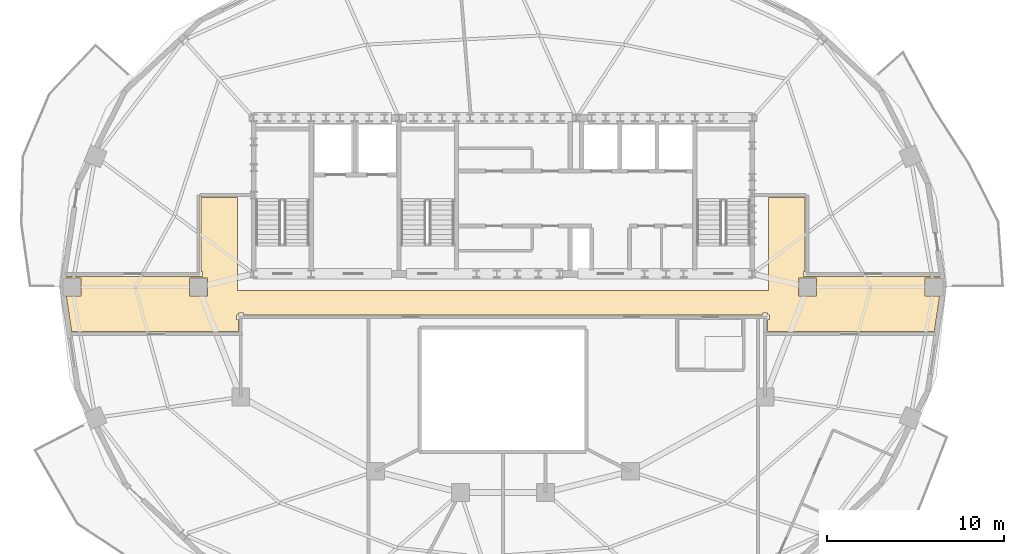
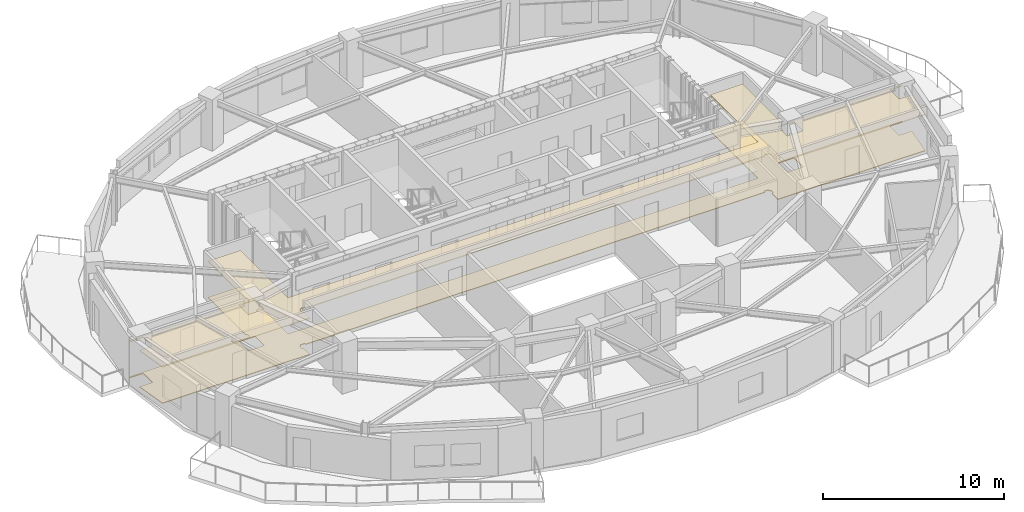
# One storey, part 7 of 9: 2 coverings.
"""IFC4 building model written with IfcOpenShell, lengths in metres."""

from ifc_helpers import new_model, si_unit, direction, frame, origin, place, context, subcontext, project, spatial, polyline, outline, extrude, material, layer, layer_set, type_object, element, save


model = new_model("IFC4")

# Units and contexts
model_context = context("Model", 3, precision=1e-05, world=origin(), true_north=direction((0.0, 1.0)))
body_context = subcontext(model_context, "Body", "Model", "MODEL_VIEW")
ifc_project = project(units=[si_unit("LENGTHUNIT", "METRE"), si_unit("AREAUNIT", "SQUARE_METRE"), si_unit("VOLUMEUNIT", "CUBIC_METRE"), si_unit("PLANEANGLEUNIT", "RADIAN"), si_unit("MASSUNIT", "GRAM", prefix="KILO")], contexts=[model_context])

# Site, building, storey
site_placement = place(None, origin())
site = spatial("IfcSite", under=ifc_project, at=site_placement, CompositionType="ELEMENT")
building_placement = place(site_placement, origin())
building = spatial("IfcBuilding", under=site, at=building_placement, Name="Haldorwick Loom Tower", CompositionType="ELEMENT")
storey_placement = place(building_placement, frame((0.0, 0.0, 244.35009765625)))
storey = spatial("IfcBuildingStorey", under=building, at=storey_placement, Name="L66", CompositionType="ELEMENT", Elevation=244.35009765625)

# Coverings
ifc_material_1 = material(Name="Mineral Fibre Acoustic Ceiling Tile")
ifc_layer_1 = layer(ifc_material_1, 0.054931640625, Name="Mineral Fibre Acoustic Ceiling Tile")
ifc_layer_set_1 = layer_set([ifc_layer_1], Name="Mineral Fibre Acoustic Ceiling Tile")
covering_type_1 = type_object("IfcCoveringType", Name="ARC-COV-CEIL2", PredefinedType="CEILING", material=ifc_layer_set_1)
covering_1_placement = place(storey_placement, frame((0.0, 0.0, 2.43896484375)))
element("IfcCovering", 1, at=covering_1_placement, inside=storey, type_object=covering_type_1, Name="L66 Acoustic Suspended Ceiling 1", PredefinedType="CEILING", context=body_context, shape_type="SweptSolid", body=[
    extrude(outline(polyline([(11.652099609375, 23.489990234375), (21.06005859375, 23.489990234375), (21.06005859375, 24.159912109375), (20.97998046875, 24.159912109375), (20.97802734375, 24.16015625), (20.97607421875, 24.160400390625), (20.97412109375, 24.160888671875), (20.972412109375, 24.16162109375), (20.970703125, 24.162353515625), (20.968994140625, 24.163330078125), (20.96728515625, 24.16455078125), (20.9658203125, 24.166015625), (20.964599609375, 24.167236328125), (20.96337890625, 24.1689453125), (20.96240234375, 24.170654296875), (20.96142578125, 24.17236328125), (20.9609375, 24.17431640625), (20.96044921875, 24.176025390625), (20.960205078125, 24.177978515625), (20.9599609375, 24.179931640625), (20.9599609375, 24.419921875), (20.960205078125, 24.422119140625), (20.96044921875, 24.423828125), (20.9609375, 24.42578125), (20.96142578125, 24.427734375), (20.96240234375, 24.429443359375), (20.96337890625, 24.43115234375), (20.964599609375, 24.4326171875), (20.9658203125, 24.43408203125), (20.96728515625, 24.435546875), (20.968994140625, 24.4365234375), (20.970703125, 24.4375), (20.972412109375, 24.4384765625), (20.97412109375, 24.439208984375), (20.97607421875, 24.439697265625), (20.97802734375, 24.43994140625), (20.97998046875, 24.43994140625), (21.06005859375, 24.43994140625), (21.06005859375, 24.52001953125), (21.06005859375, 24.52197265625), (21.060302734375, 24.52392578125), (21.060791015625, 24.52587890625), (21.0615234375, 24.527587890625), (21.0625, 24.529296875), (21.0634765625, 24.531005859375), (21.064453125, 24.53271484375), (21.06591796875, 24.5341796875), (21.0673828125, 24.535400390625), (21.06884765625, 24.53662109375), (21.070556640625, 24.53759765625), (21.072265625, 24.53857421875), (21.07421875, 24.5390625), (21.076171875, 24.53955078125), (21.077880859375, 24.539794921875), (21.080078125, 24.5400390625), (21.320068359375, 24.5400390625), (21.322021484375, 24.539794921875), (21.323974609375, 24.53955078125), (21.32568359375, 24.5390625), (21.32763671875, 24.53857421875), (21.329345703125, 24.53759765625), (21.3310546875, 24.53662109375), (21.332763671875, 24.535400390625), (21.333984375, 24.5341796875), (21.33544921875, 24.53271484375), (21.336669921875, 24.531005859375), (21.337646484375, 24.529296875), (21.33837890625, 24.527587890625), (21.339111328125, 24.52587890625), (21.339599609375, 24.52392578125), (21.33984375, 24.52197265625), (21.340087890625, 24.52001953125), (21.340087890625, 24.43994140625), (50.659912109375, 24.43994140625), (50.659912109375, 24.52001953125), (50.66015625, 24.52197265625), (50.660400390625, 24.52392578125), (50.660888671875, 24.52587890625), (50.66162109375, 24.527587890625), (50.662353515625, 24.529296875), (50.663330078125, 24.531005859375), (50.66455078125, 24.53271484375), (50.666015625, 24.5341796875), (50.667236328125, 24.535400390625), (50.6689453125, 24.53662109375), (50.670654296875, 24.53759765625), (50.67236328125, 24.53857421875), (50.67431640625, 24.5390625), (50.676025390625, 24.53955078125), (50.677978515625, 24.539794921875), (50.679931640625, 24.5400390625), (50.919921875, 24.5400390625), (50.922119140625, 24.539794921875), (50.923828125, 24.53955078125), (50.92578125, 24.5390625), (50.927734375, 24.53857421875), (50.929443359375, 24.53759765625), (50.93115234375, 24.53662109375), (50.9326171875, 24.535400390625), (50.93408203125, 24.5341796875), (50.935546875, 24.53271484375), (50.9365234375, 24.531005859375), (50.9375, 24.529296875), (50.9384765625, 24.527587890625), (50.939208984375, 24.52587890625), (50.939697265625, 24.52392578125), (50.93994140625, 24.52197265625), (50.93994140625, 24.52001953125), (50.93994140625, 24.43994140625), (51.02001953125, 24.43994140625), (51.02197265625, 24.43994140625), (51.02392578125, 24.439697265625), (51.02587890625, 24.439208984375), (51.027587890625, 24.4384765625), (51.029296875, 24.4375), (51.031005859375, 24.4365234375), (51.03271484375, 24.435546875), (51.0341796875, 24.43408203125), (51.035400390625, 24.4326171875), (51.03662109375, 24.43115234375), (51.03759765625, 24.429443359375), (51.03857421875, 24.427734375), (51.0390625, 24.42578125), (51.03955078125, 24.423828125), (51.039794921875, 24.422119140625), (51.0400390625, 24.419921875), (51.0400390625, 24.179931640625), (51.039794921875, 24.177978515625), (51.03955078125, 24.176025390625), (51.0390625, 24.17431640625), (51.03857421875, 24.17236328125), (51.03759765625, 24.170654296875), (51.03662109375, 24.1689453125), (51.035400390625, 24.167236328125), (51.0341796875, 24.166015625), (51.03271484375, 24.16455078125), (51.031005859375, 24.163330078125), (51.029296875, 24.162353515625), (51.027587890625, 24.16162109375), (51.02587890625, 24.160888671875), (51.02392578125, 24.160400390625), (51.02197265625, 24.16015625), (51.02001953125, 24.159912109375), (50.93994140625, 24.159912109375), (50.93994140625, 23.489990234375), (60.347900390625, 23.489990234375), (60.65283203125, 25.491943359375), (59.828857421875, 25.491943359375), (59.828857421875, 26.508056640625), (60.65283203125, 26.508056640625), (60.63720703125, 26.610107421875), (52.97998046875, 26.610107421875), (52.97802734375, 26.610107421875), (52.97607421875, 26.6103515625), (52.97412109375, 26.61083984375), (52.972412109375, 26.611572265625), (52.970703125, 26.6123046875), (52.968994140625, 26.61328125), (52.96728515625, 26.614501953125), (52.9658203125, 26.615966796875), (52.964599609375, 26.6171875), (52.96337890625, 26.618896484375), (52.96240234375, 26.62060546875), (52.96142578125, 26.622314453125), (52.9609375, 26.624267578125), (52.96044921875, 26.626220703125), (52.960205078125, 26.6279296875), (52.9599609375, 26.6298828125), (52.9599609375, 26.8701171875), (52.960205078125, 26.8720703125), (52.96044921875, 26.873779296875), (52.9609375, 26.875732421875), (52.96142578125, 26.877685546875), (52.96240234375, 26.87939453125), (52.96337890625, 26.881103515625), (52.964599609375, 26.8828125), (52.9658203125, 26.884033203125), (52.96728515625, 26.885498046875), (52.968994140625, 26.88671875), (52.970703125, 26.8876953125), (52.972412109375, 26.888427734375), (52.97412109375, 26.88916015625), (52.97607421875, 26.8896484375), (52.97802734375, 26.889892578125), (52.97998046875, 26.889892578125), (53.06005859375, 26.889892578125), (53.06005859375, 31.06005859375), (51.0, 31.06005859375), (51.0, 25.800048828125), (21.0, 25.800048828125), (21.0, 31.06005859375), (18.93994140625, 31.06005859375), (18.93994140625, 26.889892578125), (19.02001953125, 26.889892578125), (19.02197265625, 26.889892578125), (19.02392578125, 26.8896484375), (19.02587890625, 26.88916015625), (19.027587890625, 26.888427734375), (19.029296875, 26.8876953125), (19.031005859375, 26.88671875), (19.03271484375, 26.885498046875), (19.0341796875, 26.884033203125), (19.035400390625, 26.8828125), (19.03662109375, 26.881103515625), (19.03759765625, 26.87939453125), (19.03857421875, 26.877685546875), (19.0390625, 26.875732421875), (19.03955078125, 26.873779296875), (19.039794921875, 26.8720703125), (19.0400390625, 26.8701171875), (19.0400390625, 26.6298828125), (19.039794921875, 26.6279296875), (19.03955078125, 26.626220703125), (19.0390625, 26.624267578125), (19.03857421875, 26.622314453125), (19.03759765625, 26.62060546875), (19.03662109375, 26.618896484375), (19.035400390625, 26.6171875), (19.0341796875, 26.615966796875), (19.03271484375, 26.614501953125), (19.031005859375, 26.61328125), (19.029296875, 26.6123046875), (19.027587890625, 26.611572265625), (19.02587890625, 26.61083984375), (19.02392578125, 26.6103515625), (19.02197265625, 26.610107421875), (19.02001953125, 26.610107421875), (11.36279296875, 26.610107421875), (11.34716796875, 26.508056640625), (12.171142578125, 26.508056640625), (12.171142578125, 25.491943359375), (11.34716796875, 25.491943359375), (11.652099609375, 23.489990234375)]), holes=[polyline([(19.30810546875, 26.508056640625), (19.30810546875, 25.491943359375), (18.2919921875, 25.491943359375), (18.2919921875, 26.508056640625), (19.30810546875, 26.508056640625)]), polyline([(53.7080078125, 25.491943359375), (52.69189453125, 25.491943359375), (52.69189453125, 26.508056640625), (53.7080078125, 26.508056640625), (53.7080078125, 25.491943359375)])]), origin(), (0.0, 0.0, 1.0), 0.054931640625),
])
ifc_material_2 = material(Name="Polished Aggregate Terrazzo Finish")
ifc_layer_2 = layer(ifc_material_2, 0.044921875, Name="Polished Aggregate Terrazzo Finish")
ifc_layer_set_2 = layer_set([ifc_layer_2], Name="Polished Aggregate Terrazzo Finish")
covering_type_2 = type_object("IfcCoveringType", Name="ARC-COV-FLOOR2", PredefinedType="FLOORING", material=ifc_layer_set_2)
covering_2_placement = place(storey_placement, origin())
element("IfcCovering", 2, at=covering_2_placement, inside=storey, type_object=covering_type_2, Name="L66 Floor Finish 1", PredefinedType="FLOORING", context=body_context, shape_type="SweptSolid", body=[
    extrude(outline(polyline([(11.652099609375, 23.489990234375), (21.06005859375, 23.489990234375), (21.06005859375, 24.159912109375), (20.97998046875, 24.159912109375), (20.97802734375, 24.16015625), (20.97607421875, 24.160400390625), (20.97412109375, 24.160888671875), (20.972412109375, 24.16162109375), (20.970703125, 24.162353515625), (20.968994140625, 24.163330078125), (20.96728515625, 24.16455078125), (20.9658203125, 24.166015625), (20.964599609375, 24.167236328125), (20.96337890625, 24.1689453125), (20.96240234375, 24.170654296875), (20.96142578125, 24.17236328125), (20.9609375, 24.17431640625), (20.96044921875, 24.176025390625), (20.960205078125, 24.177978515625), (20.9599609375, 24.179931640625), (20.9599609375, 24.419921875), (20.960205078125, 24.422119140625), (20.96044921875, 24.423828125), (20.9609375, 24.42578125), (20.96142578125, 24.427734375), (20.96240234375, 24.429443359375), (20.96337890625, 24.43115234375), (20.964599609375, 24.4326171875), (20.9658203125, 24.43408203125), (20.96728515625, 24.435546875), (20.968994140625, 24.4365234375), (20.970703125, 24.4375), (20.972412109375, 24.4384765625), (20.97412109375, 24.439208984375), (20.97607421875, 24.439697265625), (20.97802734375, 24.43994140625), (20.97998046875, 24.43994140625), (21.06005859375, 24.43994140625), (21.06005859375, 24.52001953125), (21.06005859375, 24.52197265625), (21.060302734375, 24.52392578125), (21.060791015625, 24.52587890625), (21.0615234375, 24.527587890625), (21.0625, 24.529296875), (21.0634765625, 24.531005859375), (21.064453125, 24.53271484375), (21.06591796875, 24.5341796875), (21.0673828125, 24.535400390625), (21.06884765625, 24.53662109375), (21.070556640625, 24.53759765625), (21.072265625, 24.53857421875), (21.07421875, 24.5390625), (21.076171875, 24.53955078125), (21.077880859375, 24.539794921875), (21.080078125, 24.5400390625), (21.320068359375, 24.5400390625), (21.322021484375, 24.539794921875), (21.323974609375, 24.53955078125), (21.32568359375, 24.5390625), (21.32763671875, 24.53857421875), (21.329345703125, 24.53759765625), (21.3310546875, 24.53662109375), (21.332763671875, 24.535400390625), (21.333984375, 24.5341796875), (21.33544921875, 24.53271484375), (21.336669921875, 24.531005859375), (21.337646484375, 24.529296875), (21.33837890625, 24.527587890625), (21.339111328125, 24.52587890625), (21.339599609375, 24.52392578125), (21.33984375, 24.52197265625), (21.340087890625, 24.52001953125), (21.340087890625, 24.43994140625), (50.659912109375, 24.43994140625), (50.659912109375, 24.52001953125), (50.66015625, 24.52197265625), (50.660400390625, 24.52392578125), (50.660888671875, 24.52587890625), (50.66162109375, 24.527587890625), (50.662353515625, 24.529296875), (50.663330078125, 24.531005859375), (50.66455078125, 24.53271484375), (50.666015625, 24.5341796875), (50.667236328125, 24.535400390625), (50.6689453125, 24.53662109375), (50.670654296875, 24.53759765625), (50.67236328125, 24.53857421875), (50.67431640625, 24.5390625), (50.676025390625, 24.53955078125), (50.677978515625, 24.539794921875), (50.679931640625, 24.5400390625), (50.919921875, 24.5400390625), (50.922119140625, 24.539794921875), (50.923828125, 24.53955078125), (50.92578125, 24.5390625), (50.927734375, 24.53857421875), (50.929443359375, 24.53759765625), (50.93115234375, 24.53662109375), (50.9326171875, 24.535400390625), (50.93408203125, 24.5341796875), (50.935546875, 24.53271484375), (50.9365234375, 24.531005859375), (50.9375, 24.529296875), (50.9384765625, 24.527587890625), (50.939208984375, 24.52587890625), (50.939697265625, 24.52392578125), (50.93994140625, 24.52197265625), (50.93994140625, 24.52001953125), (50.93994140625, 24.43994140625), (51.02001953125, 24.43994140625), (51.02197265625, 24.43994140625), (51.02392578125, 24.439697265625), (51.02587890625, 24.439208984375), (51.027587890625, 24.4384765625), (51.029296875, 24.4375), (51.031005859375, 24.4365234375), (51.03271484375, 24.435546875), (51.0341796875, 24.43408203125), (51.035400390625, 24.4326171875), (51.03662109375, 24.43115234375), (51.03759765625, 24.429443359375), (51.03857421875, 24.427734375), (51.0390625, 24.42578125), (51.03955078125, 24.423828125), (51.039794921875, 24.422119140625), (51.0400390625, 24.419921875), (51.0400390625, 24.179931640625), (51.039794921875, 24.177978515625), (51.03955078125, 24.176025390625), (51.0390625, 24.17431640625), (51.03857421875, 24.17236328125), (51.03759765625, 24.170654296875), (51.03662109375, 24.1689453125), (51.035400390625, 24.167236328125), (51.0341796875, 24.166015625), (51.03271484375, 24.16455078125), (51.031005859375, 24.163330078125), (51.029296875, 24.162353515625), (51.027587890625, 24.16162109375), (51.02587890625, 24.160888671875), (51.02392578125, 24.160400390625), (51.02197265625, 24.16015625), (51.02001953125, 24.159912109375), (50.93994140625, 24.159912109375), (50.93994140625, 23.489990234375), (60.347900390625, 23.489990234375), (60.65283203125, 25.491943359375), (59.828857421875, 25.491943359375), (59.828857421875, 26.508056640625), (60.65283203125, 26.508056640625), (60.63720703125, 26.610107421875), (52.97998046875, 26.610107421875), (52.97802734375, 26.610107421875), (52.97607421875, 26.6103515625), (52.97412109375, 26.61083984375), (52.972412109375, 26.611572265625), (52.970703125, 26.6123046875), (52.968994140625, 26.61328125), (52.96728515625, 26.614501953125), (52.9658203125, 26.615966796875), (52.964599609375, 26.6171875), (52.96337890625, 26.618896484375), (52.96240234375, 26.62060546875), (52.96142578125, 26.622314453125), (52.9609375, 26.624267578125), (52.96044921875, 26.626220703125), (52.960205078125, 26.6279296875), (52.9599609375, 26.6298828125), (52.9599609375, 26.8701171875), (52.960205078125, 26.8720703125), (52.96044921875, 26.873779296875), (52.9609375, 26.875732421875), (52.96142578125, 26.877685546875), (52.96240234375, 26.87939453125), (52.96337890625, 26.881103515625), (52.964599609375, 26.8828125), (52.9658203125, 26.884033203125), (52.96728515625, 26.885498046875), (52.968994140625, 26.88671875), (52.970703125, 26.8876953125), (52.972412109375, 26.888427734375), (52.97412109375, 26.88916015625), (52.97607421875, 26.8896484375), (52.97802734375, 26.889892578125), (52.97998046875, 26.889892578125), (53.06005859375, 26.889892578125), (53.06005859375, 31.06005859375), (51.0, 31.06005859375), (51.0, 25.800048828125), (21.0, 25.800048828125), (21.0, 31.06005859375), (18.93994140625, 31.06005859375), (18.93994140625, 26.889892578125), (19.02001953125, 26.889892578125), (19.02197265625, 26.889892578125), (19.02392578125, 26.8896484375), (19.02587890625, 26.88916015625), (19.027587890625, 26.888427734375), (19.029296875, 26.8876953125), (19.031005859375, 26.88671875), (19.03271484375, 26.885498046875), (19.0341796875, 26.884033203125), (19.035400390625, 26.8828125), (19.03662109375, 26.881103515625), (19.03759765625, 26.87939453125), (19.03857421875, 26.877685546875), (19.0390625, 26.875732421875), (19.03955078125, 26.873779296875), (19.039794921875, 26.8720703125), (19.0400390625, 26.8701171875), (19.0400390625, 26.6298828125), (19.039794921875, 26.6279296875), (19.03955078125, 26.626220703125), (19.0390625, 26.624267578125), (19.03857421875, 26.622314453125), (19.03759765625, 26.62060546875), (19.03662109375, 26.618896484375), (19.035400390625, 26.6171875), (19.0341796875, 26.615966796875), (19.03271484375, 26.614501953125), (19.031005859375, 26.61328125), (19.029296875, 26.6123046875), (19.027587890625, 26.611572265625), (19.02587890625, 26.61083984375), (19.02392578125, 26.6103515625), (19.02197265625, 26.610107421875), (19.02001953125, 26.610107421875), (11.36279296875, 26.610107421875), (11.34716796875, 26.508056640625), (12.171142578125, 26.508056640625), (12.171142578125, 25.491943359375), (11.34716796875, 25.491943359375), (11.652099609375, 23.489990234375)]), holes=[polyline([(19.30810546875, 26.508056640625), (19.30810546875, 25.491943359375), (18.2919921875, 25.491943359375), (18.2919921875, 26.508056640625), (19.30810546875, 26.508056640625)]), polyline([(53.7080078125, 25.491943359375), (52.69189453125, 25.491943359375), (52.69189453125, 26.508056640625), (53.7080078125, 26.508056640625), (53.7080078125, 25.491943359375)])]), origin(), (0.0, 0.0, 1.0), 0.044921875),
])

save(model, "model.ifc")
